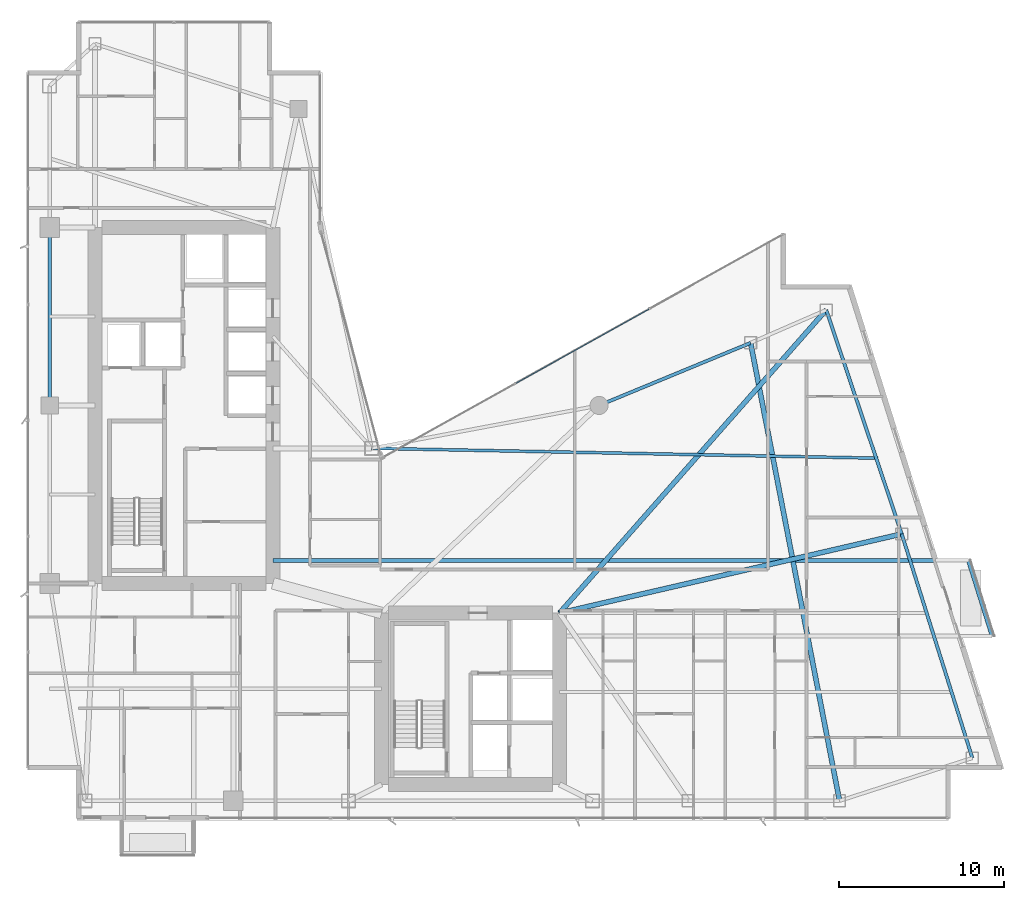
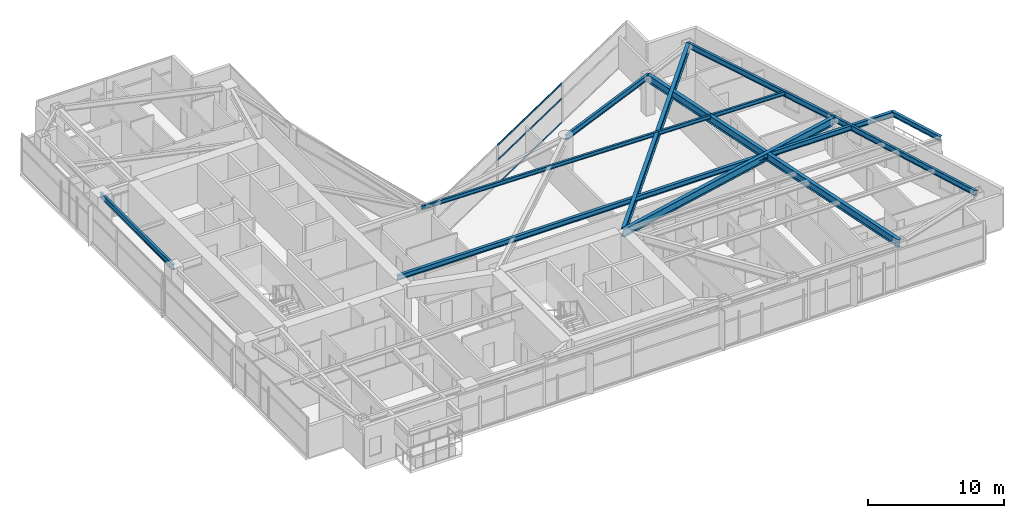
# One storey, part 15 of 29: 10 beams, 3 members, 1 element without a shape of its own.
"""IFC4 building model written with IfcOpenShell, lengths in metres."""

import ifcopenshell
import ifcopenshell.guid

model = None  # the IFC model being written
_history = None  # IfcOwnerHistory: only IFC2X3 demands one
_inside = {}  # id of a spatial element -> (the spatial element, [elements in it])
_under = {}  # id of a project, library or spatial element -> (it, [spatial elements below it])
_declared = {}  # id of a project -> (the project, [libraries it declares])
_typed = {}  # id of a type object -> (the type object, [elements of that type])
_made_of = {}  # id of a material, layer set ... -> (it, [elements and type objects made of it])


def new_model(schema):
    """Start an empty IFC model of exactly this schema.

    Asked for "IFC4X3", IfcOpenShell would pick the latest addendum, in which some entities
    have other attributes; the version numbers below select the first issue.
    IFC2X3 requires an IfcOwnerHistory on every rooted entity: one is made here for all.
    """
    global model, _history
    if schema == "IFC4X3":
        model = ifcopenshell.file(schema_version=(4, 3, 0, 0))
    else:
        model = ifcopenshell.file(schema=schema)
    _inside.clear()
    _under.clear()
    _declared.clear()
    _typed.clear()
    _made_of.clear()
    _history = None
    if model.schema == "IFC2X3":
        org = make("IfcOrganization", Name="unknown")
        user = make(
            "IfcPersonAndOrganization",
            ThePerson=make("IfcPerson", FamilyName="unknown"),
            TheOrganization=org,
        )
        app = make(
            "IfcApplication",
            ApplicationDeveloper=org,
            Version="unknown",
            ApplicationFullName="unknown",
            ApplicationIdentifier="unknown",
        )
        _history = make(
            "IfcOwnerHistory",
            OwningUser=user,
            OwningApplication=app,
            ChangeAction="ADDED",
            CreationDate=0,
        )
    return model


def make(cls, **values):
    """One entity of the class cls with the attributes given. An attribute that is None is left unset."""
    return model.create_entity(
        cls, **{name: value for name, value in values.items() if value is not None}
    )


def rooted(cls, **values):
    """An entity with a GlobalId (a new one), such as an element, a storey or a relation."""
    return make(cls, GlobalId=ifcopenshell.guid.new(), OwnerHistory=_history, **values)


def si_unit(unit_type, name, prefix=None):
    """IfcSIUnit, for example si_unit("LENGTHUNIT", "METRE", prefix="MILLI")."""
    return make("IfcSIUnit", UnitType=unit_type, Prefix=prefix, Name=name)


def assignment(units):
    """IfcUnitAssignment: the units of a project."""
    return None if units is None else make("IfcUnitAssignment", Units=units)


def point(xyz):
    """IfcCartesianPoint."""
    return None if xyz is None else make("IfcCartesianPoint", Coordinates=xyz)


def direction(xyz):
    """IfcDirection."""
    return None if xyz is None else make("IfcDirection", DirectionRatios=xyz)


def frame(location, z_axis=None, x_axis=None):
    """IfcAxis2Placement3D, a coordinate frame: its origin and axes. An axis left out is left unset."""
    return make(
        "IfcAxis2Placement3D",
        Location=point(location),
        Axis=direction(z_axis),
        RefDirection=direction(x_axis),
    )


def frame_2d(location, x_axis=None):
    """IfcAxis2Placement2D, a coordinate frame in the plane: its origin and x axis."""
    return make(
        "IfcAxis2Placement2D", Location=point(location), RefDirection=direction(x_axis)
    )


def origin():
    """The frame at (0, 0, 0) with its axes left unset."""
    return frame((0.0, 0.0, 0.0))


def origin_2d():
    """The frame at (0, 0) in the plane with its x axis left unset."""
    return frame_2d((0.0, 0.0))


def place(relative_to, where):
    """IfcLocalPlacement: puts the frame where relative to a parent placement (None: the world)."""
    return make(
        "IfcLocalPlacement", PlacementRelTo=relative_to, RelativePlacement=where
    )


def context(
    kind, dimensions, precision=None, world=None, true_north=None, identifier=None
):
    """IfcGeometricRepresentationContext, for example the 3D "Model" context."""
    return make(
        "IfcGeometricRepresentationContext",
        ContextIdentifier=identifier,
        ContextType=kind,
        CoordinateSpaceDimension=dimensions,
        Precision=precision,
        WorldCoordinateSystem=world,
        TrueNorth=true_north,
    )


def subcontext(parent, identifier, kind, view, scale=None):
    """IfcGeometricRepresentationSubContext, for example "Body" below "Model"."""
    return make(
        "IfcGeometricRepresentationSubContext",
        ContextIdentifier=identifier,
        ContextType=kind,
        ParentContext=parent,
        TargetScale=scale,
        TargetView=view,
    )


def project(units=None, contexts=None):
    """IfcProject with its units and contexts."""
    return rooted(
        "IfcProject",
        Name="project",
        RepresentationContexts=contexts,
        UnitsInContext=assignment(units),
    )


def spatial(cls, under=None, at=None, **own):
    """A site, building, storey or space (cls), placed at a placement, below another one or the project."""
    s = rooted(cls, ObjectPlacement=at, **own)
    if under is not None:
        _under.setdefault(under.id(), (under, []))[1].append(s)
    return s


def profile(cls, at=None, kind="AREA", **sizes):
    """A parametric profile (cls). Its sizes go by their IFC names, for example OverallWidth=200.0."""
    return make(cls, ProfileType=kind, Position=at, **sizes)


def hollow_rectangle(**sizes):
    """IfcRectangleHollowProfileDef."""
    return profile("IfcRectangleHollowProfileDef", **sizes)


def i_section(**sizes):
    """IfcIShapeProfileDef."""
    return profile("IfcIShapeProfileDef", **sizes)


def extrude(swept, where, along, depth):
    """IfcExtrudedAreaSolid: the profile swept, set in the frame where, extruded along a direction by depth."""
    return make(
        "IfcExtrudedAreaSolid",
        SweptArea=swept,
        Position=where,
        ExtrudedDirection=direction(along),
        Depth=depth,
    )


def shape(context_of_items, identifier, shape_type, items):
    """IfcShapeRepresentation: the items that make up one representation, for example the "Body"."""
    return make(
        "IfcShapeRepresentation",
        ContextOfItems=context_of_items,
        RepresentationIdentifier=identifier,
        RepresentationType=shape_type,
        Items=items,
    )


def material(Name=None, Category=None):
    """IfcMaterial."""
    return make("IfcMaterial", Name=Name, Category=Category)


def layer(
    of_material, thickness, ventilated=None, Name=None, Category=None, Priority=None
):
    """IfcMaterialLayer: one layer of a wall or slab, of a material (None: an air gap)."""
    return make(
        "IfcMaterialLayer",
        Material=of_material,
        LayerThickness=thickness,
        IsVentilated=ventilated,
        Name=Name,
        Category=Category,
        Priority=Priority,
    )


def layer_set(layers, Name=None):
    """IfcMaterialLayerSet."""
    return make("IfcMaterialLayerSet", MaterialLayers=layers, LayerSetName=Name)


def material_profile(
    of_material, cross_section, Name=None, Category=None, Priority=None
):
    """IfcMaterialProfile: a cross section and its material."""
    return make(
        "IfcMaterialProfile",
        Name=Name,
        Material=of_material,
        Profile=cross_section,
        Priority=Priority,
        Category=Category,
    )


def profile_set(profiles, Name=None, composite=None):
    """IfcMaterialProfileSet."""
    return make(
        "IfcMaterialProfileSet",
        Name=Name,
        MaterialProfiles=profiles,
        CompositeProfile=composite,
    )


def made_of(thing, what):
    """Note that an element or type object is made of a material, layer set ...; save() writes the relation."""
    if what is not None:
        _made_of.setdefault(what.id(), (what, []))[1].append(thing)
    return thing


def type_object(cls, material=None, **own):
    """A type object (cls), such as IfcWallType, which elements share."""
    return made_of(rooted(cls, **own), material)


def element(
    cls,
    number,
    at=None,
    inside=None,
    cuts=None,
    type_object=None,
    material=None,
    context=None,
    identifier="Body",
    shape_type=None,
    held_by="IfcProductDefinitionShape",
    body=None,
    shapes=None,
    **own,
):
    """One element of the class cls, such as IfcWall. Its Tag is "e" and its number.

    at: its placement. inside: the storey or other place that contains it. cuts: it is an
    opening in that element (IfcRelVoidsElement). A single representation is given by context,
    identifier, shape_type and body (its items); several are given by shapes. held_by: the class
    of the entity that holds the representations. save() writes the other relations.
    """
    e = rooted(cls, Tag="e%d" % number, ObjectPlacement=at, **own)
    if body is not None:
        shapes = [shape(context, identifier, shape_type, body)]
    if shapes is not None:
        e.Representation = make(held_by, Representations=shapes)
    if inside is not None:
        _inside.setdefault(inside.id(), (inside, []))[1].append(e)
    if cuts is not None:
        rooted(
            "IfcRelVoidsElement", RelatingBuildingElement=cuts, RelatedOpeningElement=e
        )
    if type_object is not None:
        _typed.setdefault(type_object.id(), (type_object, []))[1].append(e)
    return made_of(e, material)


def aggregate(whole, parts):
    """IfcRelAggregates: a whole, such as a stair, and the parts it consists of."""
    return rooted("IfcRelAggregates", RelatingObject=whole, RelatedObjects=parts)


def save(model, path):
    """Write the relations noted so far, then the file.

    IfcRelAggregates (storeys below a building ...), IfcRelContainedInSpatialStructure (elements
    in a storey), IfcRelDefinesByType, IfcRelAssociatesMaterial and IfcRelDeclares: one each for
    every whole, place, type object, material and project.
    """
    for whole, parts in _under.values():
        aggregate(whole, parts)
    for where, things in _inside.values():
        rooted(
            "IfcRelContainedInSpatialStructure",
            RelatedElements=things,
            RelatingStructure=where,
        )
    for kind, things in _typed.values():
        rooted("IfcRelDefinesByType", RelatedObjects=things, RelatingType=kind)
    for what, things in _made_of.values():
        rooted("IfcRelAssociatesMaterial", RelatedObjects=things, RelatingMaterial=what)
    for by, libraries in _declared.values():
        rooted("IfcRelDeclares", RelatingContext=by, RelatedDefinitions=libraries)
    model.write(path)


model = new_model("IFC4")

# Units and contexts
model_context = context("Model", 3, precision=1e-05, world=origin(), true_north=direction((0.0, 1.0)))
body_context = subcontext(model_context, "Body", "Model", "MODEL_VIEW")
ifc_project = project(units=[si_unit("LENGTHUNIT", "METRE"), si_unit("AREAUNIT", "SQUARE_METRE"), si_unit("VOLUMEUNIT", "CUBIC_METRE"), si_unit("PLANEANGLEUNIT", "RADIAN"), si_unit("MASSUNIT", "GRAM", prefix="KILO")], contexts=[model_context])

# Site, building, storey
site_placement = place(None, origin())
site = spatial("IfcSite", under=ifc_project, at=site_placement, CompositionType="ELEMENT")
building_placement = place(site_placement, origin())
building = spatial("IfcBuilding", under=site, at=building_placement, Name="Calvorn Quay Hotel", CompositionType="ELEMENT")
storey_placement = place(building_placement, frame((0.0, 0.0, 105.0)))
storey = spatial("IfcBuildingStorey", under=building, at=storey_placement, Name="L25", CompositionType="ELEMENT", Elevation=105.0)

# Beams
ifc_material_1 = material(Name="Steel Q355B", Category="steel")
ifc_material_profile_1 = material_profile(ifc_material_1, i_section(OverallWidth=0.25, OverallDepth=0.449951171875, WebThickness=0.011962890625, FlangeThickness=0.01611328125, FilletRadius=0.01611328125, at=origin_2d()), Name="HN450x250x12x16")
ifc_profile_set_1 = profile_set([ifc_material_profile_1], Name="Steel Q355B")
beam_type_1 = type_object("IfcBeamType", Name="BM-CANT-BALC", PredefinedType="BEAM", material=ifc_profile_set_1)
beam_1_placement = place(storey_placement, frame((15.0, 18.199951171875, 3.31494140625), z_axis=(1.0, 0.0, 0.0), x_axis=(0.0, 1.0, 0.0)))
element("IfcBeam", 1, at=beam_1_placement, inside=storey, type_object=beam_type_1, Name="Cantilever Balcony Beam BCB-L26-1B", PredefinedType="BEAM", context=body_context, shape_type="SweptSolid", body=[
    extrude(i_section(OverallWidth=0.25, OverallDepth=0.449951171875, WebThickness=0.011962890625, FlangeThickness=0.01611328125, FilletRadius=0.01611328125, at=origin_2d()), origin(), (0.0, 0.0, 1.0), 42.219970703125),
])
beam_2_placement = place(storey_placement, frame((58.6689453125, 13.60009765625, 3.31494140625), z_axis=(-0.300450487966, 0.953797412599, 0.0), x_axis=(-0.953797412599, -0.300450487966, 0.0)))
element("IfcBeam", 2, at=beam_2_placement, inside=storey, type_object=beam_type_1, Name="Beam BCBO-L26-1", PredefinedType="BEAM", context=body_context, shape_type="SweptSolid", body=[
    extrude(i_section(OverallWidth=0.25, OverallDepth=0.449951171875, WebThickness=0.011962890625, FlangeThickness=0.01611328125, FilletRadius=0.01611328125, at=origin_2d()), origin(), (0.0, 0.0, 1.0), 4.82275390625),
])
ifc_material_2 = material(Name="Steel Q390GJC", Category="steel")
ifc_material_profile_2 = material_profile(ifc_material_2, i_section(OverallWidth=0.300048828125, OverallDepth=0.699951171875, WebThickness=0.012939453125, FlangeThickness=0.02392578125, FilletRadius=0.02392578125, at=origin_2d()), Name="HN700x300x13x24")
ifc_profile_set_2 = profile_set([ifc_material_profile_2], Name="Steel Q390GJC")
beam_type_2 = type_object("IfcBeamType", Name="BM-GIRD-MAIN", PredefinedType="BEAM", material=ifc_profile_set_2)
beam_3_placement = place(storey_placement, frame((32.39990234375, 15.0, 3.18994140625), z_axis=(0.974334045812, 0.225107012711, 0.0), x_axis=(-0.225107012711, 0.974334045812, 0.0)))
element("IfcBeam", 3, at=beam_3_placement, inside=storey, type_object=beam_type_2, Name="Beam BG-L25-E2", PredefinedType="BEAM", context=body_context, shape_type="SweptSolid", body=[
    extrude(i_section(OverallWidth=0.300048828125, OverallDepth=0.699951171875, WebThickness=0.012939453125, FlangeThickness=0.02392578125, FilletRadius=0.02392578125, at=origin_2d()), origin(), (0.0, 0.0, 1.0), 21.323486328125),
])
beam_4_placement = place(storey_placement, frame((32.39990234375, 15.0, 3.18994140625), z_axis=(0.660610604248, 0.750728732336, 0.0), x_axis=(-0.750728732336, 0.660610604248, 0.0)))
element("IfcBeam", 4, at=beam_4_placement, inside=storey, type_object=beam_type_2, Name="Beam BG-L25-E3", PredefinedType="BEAM", context=body_context, shape_type="SweptSolid", body=[
    extrude(i_section(OverallWidth=0.300048828125, OverallDepth=0.699951171875, WebThickness=0.012939453125, FlangeThickness=0.02392578125, FilletRadius=0.02392578125, at=origin_2d()), origin(), (0.0, 0.0, 1.0), 24.50927734375),
])
beam_5_placement = place(storey_placement, frame((49.39990234375, 3.60009765625, 3.18994140625), z_axis=(-0.190678596862, 0.981652521363, 0.0), x_axis=(-0.981652521363, -0.190678596862, 0.0)))
element("IfcBeam", 5, at=beam_5_placement, inside=storey, type_object=beam_type_2, Name="Beam BG-L25-E5", PredefinedType="BEAM", context=body_context, shape_type="SweptSolid", body=[
    extrude(i_section(OverallWidth=0.300048828125, OverallDepth=0.699951171875, WebThickness=0.012939453125, FlangeThickness=0.02392578125, FilletRadius=0.02392578125, at=origin_2d()), origin(), (0.0, 0.0, 1.0), 28.3193359375),
])
ifc_material_3 = material(Name="Steel Q355B", Category="steel")
ifc_material_profile_3 = material_profile(ifc_material_3, i_section(OverallWidth=0.175048828125, OverallDepth=0.35009765625, WebThickness=0.007080078125, FlangeThickness=0.010986328125, FilletRadius=0.013916015625, at=origin_2d()), Name="HN350x175x7x11")
ifc_profile_set_3 = profile_set([ifc_material_profile_3], Name="Steel Q355B")
beam_type_3 = type_object("IfcBeamType", Name="BM-JOIST-SEC", PredefinedType="JOIST", material=ifc_profile_set_3)
beam_6_placement = place(storey_placement, frame((21.0, 25.0, 3.364990234375), z_axis=(0.999809345134, -0.019526222968, 0.0), x_axis=(0.019526222968, 0.999809345134, 0.0)))
element("IfcBeam", 6, at=beam_6_placement, inside=storey, type_object=beam_type_3, Name="Beam BJ-L25-E3", PredefinedType="JOIST", context=body_context, shape_type="SweptSolid", body=[
    extrude(i_section(OverallWidth=0.175048828125, OverallDepth=0.35009765625, WebThickness=0.007080078125, FlangeThickness=0.010986328125, FilletRadius=0.013916015625, at=origin_2d()), origin(), (0.0, 0.0, 1.0), 30.73291015625),
])
ifc_material_4 = material(Name="Steel Q355B", Category="steel")
ifc_material_profile_4 = material_profile(ifc_material_4, i_section(OverallWidth=0.199951171875, OverallDepth=0.5, WebThickness=0.010009765625, FlangeThickness=0.01611328125, FilletRadius=0.01611328125, at=origin_2d()), Name="HN500x200x10x16")
ifc_profile_set_4 = profile_set([ifc_material_profile_4], Name="Steel Q355B")
beam_type_4 = type_object("IfcBeamType", Name="BM-SPANDREL-Z1", PredefinedType="SPANDREL", material=ifc_profile_set_4)
beam_7_placement = place(storey_placement, frame((1.449951171875, 27.60009765625, 3.2900390625), z_axis=(0.0, 1.0, 0.0), x_axis=(-1.0, 0.0, 0.0)))
element("IfcBeam", 7, at=beam_7_placement, inside=storey, type_object=beam_type_4, Name="Beam BSP-L25-W3", PredefinedType="SPANDREL", context=body_context, shape_type="SweptSolid", body=[
    extrude(i_section(OverallWidth=0.199951171875, OverallDepth=0.5, WebThickness=0.010009765625, FlangeThickness=0.01611328125, FilletRadius=0.01611328125, at=origin_2d()), origin(), (0.0, 0.0, 1.0), 10.7998046875),
])
beam_8_placement = place(storey_placement, frame((57.4609375, 6.199951171875, 3.2900390625), z_axis=(-0.300502802767, 0.953780931624, 0.0), x_axis=(-0.953780931624, -0.300502802767, 0.0)))
element("IfcBeam", 8, at=beam_8_placement, inside=storey, type_object=beam_type_4, Name="Beam BSP-L25-E1", PredefinedType="SPANDREL", context=body_context, shape_type="SweptSolid", body=[
    extrude(i_section(OverallWidth=0.199951171875, OverallDepth=0.5, WebThickness=0.010009765625, FlangeThickness=0.01611328125, FilletRadius=0.01611328125, at=origin_2d()), origin(), (0.0, 0.0, 1.0), 14.259033203125),
])
beam_9_placement = place(storey_placement, frame((53.176025390625, 19.800048828125, 3.2900390625), z_axis=(-0.319466515944, 0.947597564998, 0.0), x_axis=(-0.947597564998, -0.319466515944, 0.0)))
element("IfcBeam", 9, at=beam_9_placement, inside=storey, type_object=beam_type_4, Name="Beam BSP-L25-E2", PredefinedType="SPANDREL", context=body_context, shape_type="SweptSolid", body=[
    extrude(i_section(OverallWidth=0.199951171875, OverallDepth=0.5, WebThickness=0.010009765625, FlangeThickness=0.01611328125, FilletRadius=0.01611328125, at=origin_2d()), origin(), (0.0, 0.0, 1.0), 14.35205078125),
])
beam_10_placement = place(storey_placement, frame((44.0, 31.39990234375, 3.2900390625), z_axis=(-0.92426763497, -0.381745123017, 0.0), x_axis=(0.381745123017, -0.92426763497, 0.0)))
element("IfcBeam", 10, at=beam_10_placement, inside=storey, type_object=beam_type_4, Name="Beam BSP-L25-E4", PredefinedType="SPANDREL", context=body_context, shape_type="SweptSolid", body=[
    extrude(i_section(OverallWidth=0.199951171875, OverallDepth=0.5, WebThickness=0.010009765625, FlangeThickness=0.01611328125, FilletRadius=0.01611328125, at=origin_2d()), origin(), (0.0, 0.0, 1.0), 9.953857421875),
])

# Curtain wall, members
ifc_material_5 = material(Name="Pale Anodised Aluminium and Low-E Glass", Category="aluminium")
ifc_layer = layer(ifc_material_5, 0.219970703125)
ifc_layer_set = layer_set([ifc_layer], Name="CW-SYS-Z2")
curtain_wall_type = type_object("IfcCurtainWallType", Name="CW-SYS-Z2", PredefinedType="NOTDEFINED", material=ifc_layer_set)
curtain_wall_placement = place(storey_placement, origin())
curtain_wall = element("IfcCurtainWall", 11, at=curtain_wall_placement, inside=storey, type_object=curtain_wall_type, Name="Inner Court Curtain Wall L25-NE1", PredefinedType="NOTDEFINED")
ifc_material_6 = material(Name="Pale Anodised Aluminium 6063-T6", Category="aluminium")
ifc_material_profile_5 = material_profile(ifc_material_6, hollow_rectangle(XDim=0.06005859375, YDim=0.14990234375, WallThickness=0.00341796875, at=origin_2d()), Name="ALU-T150x60x3.5")
ifc_profile_set_5 = profile_set([ifc_material_profile_5], Name="Pale Anodised Aluminium 6063-T6")
member_type = type_object("IfcMemberType", Name="CW-SYS-Z2-TRN", PredefinedType="USERDEFINED", material=ifc_profile_set_5)
member_1_placement = place(storey_placement, frame((37.840576171875, 33.4521484375, 0.030029296875), z_axis=(-0.873483012802, -0.486854625474, 0.0), x_axis=(0.486854625474, -0.873483012802, 0.0)))
member_1 = element("IfcMember", 12, at=member_1_placement, type_object=member_type, Name="CW-L25-NE1 transom 2.1", ObjectType="TRANSOM", PredefinedType="USERDEFINED", context=body_context, shape_type="SweptSolid", body=[
    extrude(hollow_rectangle(XDim=0.06005859375, YDim=0.14990234375, WallThickness=0.00341796875, at=origin_2d()), origin(), (0.0, 0.0, 1.0), 9.25146484375),
])
member_2_placement = place(storey_placement, frame((37.840576171875, 33.4521484375, 2.199951171875), z_axis=(-0.873483012802, -0.486854625474, 0.0), x_axis=(0.486854625474, -0.873483012802, 0.0)))
member_2 = element("IfcMember", 13, at=member_2_placement, type_object=member_type, Name="CW-L25-NE1 transom 2.2", ObjectType="TRANSOM", PredefinedType="USERDEFINED", context=body_context, shape_type="SweptSolid", body=[
    extrude(hollow_rectangle(XDim=0.06005859375, YDim=0.14990234375, WallThickness=0.00341796875, at=origin_2d()), origin(), (0.0, 0.0, 1.0), 9.25146484375),
])
member_3_placement = place(storey_placement, frame((37.840576171875, 33.4521484375, 3.530029296875), z_axis=(-0.873483012802, -0.486854625474, 0.0), x_axis=(0.486854625474, -0.873483012802, 0.0)))
member_3 = element("IfcMember", 14, at=member_3_placement, type_object=member_type, Name="CW-L25-NE1 transom 2.3", ObjectType="TRANSOM", PredefinedType="USERDEFINED", context=body_context, shape_type="SweptSolid", body=[
    extrude(hollow_rectangle(XDim=0.06005859375, YDim=0.14990234375, WallThickness=0.00341796875, at=origin_2d()), origin(), (0.0, 0.0, 1.0), 9.25146484375),
])
aggregate(curtain_wall, [member_1, member_2, member_3])

save(model, "model.ifc")
